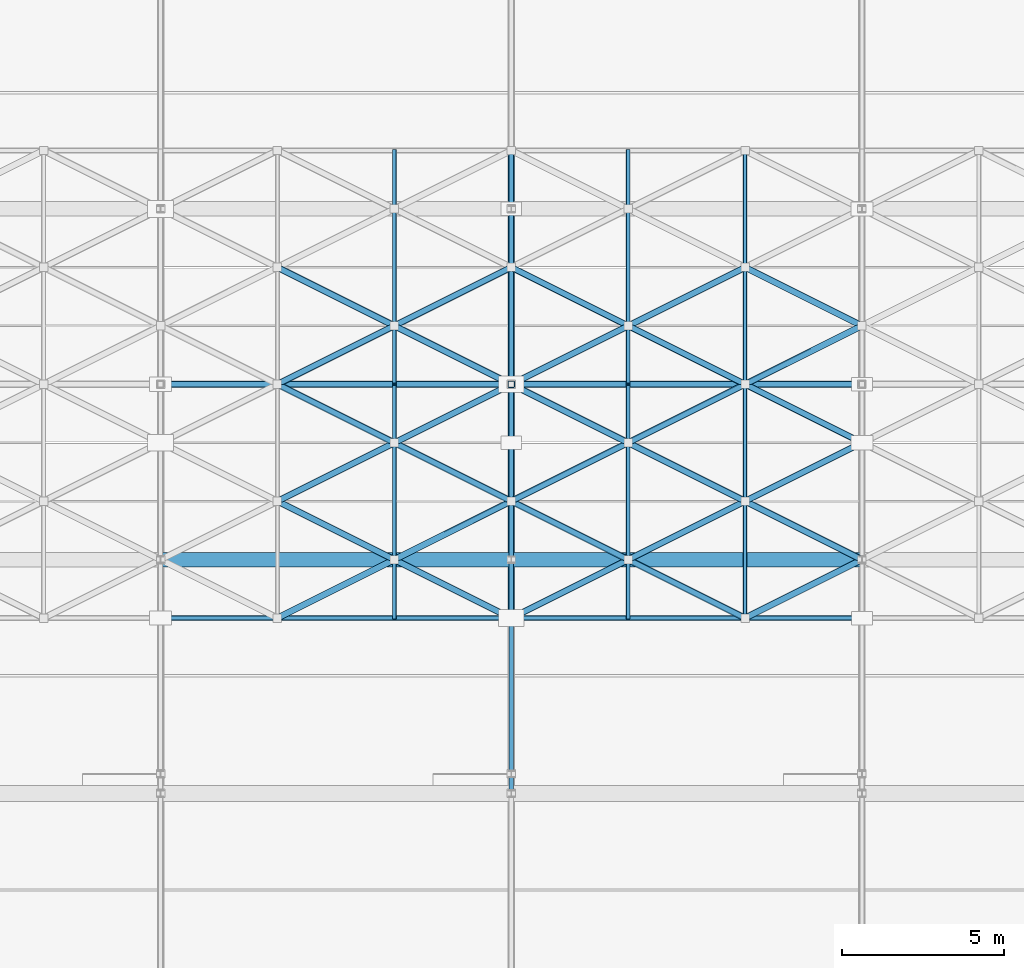
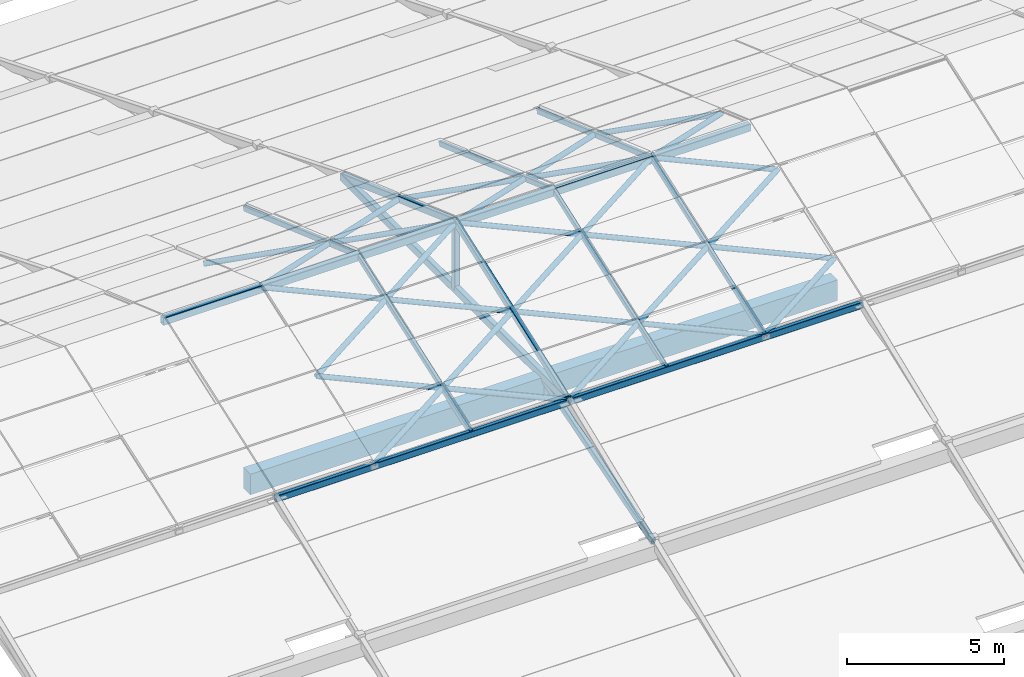
# One storey, part 41 of 112: 45 members, 2 beams.
"""IFC4 building model written with IfcOpenShell, lengths in metres."""

from ifc_helpers import new_model, si_unit, direction, frame, origin, origin_2d, place, context, subcontext, project, spatial, rectangle, hollow_rectangle, hollow_circle, extrude, material, material_profile, profile_set, type_object, element, save


model = new_model("IFC4")

# Units and contexts
model_context = context("Model", 3, precision=1e-05, world=origin(), true_north=direction((0.0, 1.0)))
body_context = subcontext(model_context, "Body", "Model", "MODEL_VIEW")
ifc_project = project(units=[si_unit("LENGTHUNIT", "METRE"), si_unit("AREAUNIT", "SQUARE_METRE"), si_unit("VOLUMEUNIT", "CUBIC_METRE"), si_unit("PLANEANGLEUNIT", "RADIAN"), si_unit("MASSUNIT", "GRAM", prefix="KILO")], contexts=[model_context])

# Site, building, storey
site_placement = place(None, origin())
site = spatial("IfcSite", under=ifc_project, at=site_placement, CompositionType="ELEMENT")
building_placement = place(site_placement, origin())
building = spatial("IfcBuilding", under=site, at=building_placement, Name="Zwinboog Wholesale Market", CompositionType="ELEMENT")
storey_placement = place(building_placement, frame((0.0, 0.0, 19.080078125)))
storey = spatial("IfcBuildingStorey", under=building, at=storey_placement, Name="Roof", CompositionType="ELEMENT", Elevation=19.080078125)

# Beams
ifc_material_1 = material(Name="Precast concrete C45/55", Category="concrete")
ifc_material_profile_1 = material_profile(ifc_material_1, rectangle(XDim=0.449951171875, YDim=0.800048828125, at=origin_2d()), Name="PC 450x800")
ifc_profile_set_1 = profile_set([ifc_material_profile_1], Name="Precast concrete C45/55")
beam_type = type_object("IfcBeamType", Name="BT-07", PredefinedType="BEAM", material=ifc_profile_set_1)
beam_1_placement = place(storey_placement, frame((75.60009765625, 70.199951171875, 0.16796875), z_axis=(1.0, 0.0, 0.0), x_axis=(0.0, 1.0, 0.0)))
element("IfcBeam", 1, at=beam_1_placement, inside=storey, type_object=beam_type, Name="EB-02 (BMG-Roof-0756-0702-1070)", PredefinedType="BEAM", context=body_context, shape_type="SweptSolid", body=[
    extrude(rectangle(XDim=0.449951171875, YDim=0.800048828125, at=origin_2d()), origin(), (0.0, 0.0, 1.0), 10.7998046875),
])
beam_2_placement = place(storey_placement, frame((86.39990234375, 70.199951171875, 0.16796875), z_axis=(1.0, 0.0, 0.0), x_axis=(0.0, 1.0, 0.0)))
element("IfcBeam", 2, at=beam_2_placement, inside=storey, type_object=beam_type, Name="EB-02 (BMG-Roof-0864-0702-1079)", PredefinedType="BEAM", context=body_context, shape_type="SweptSolid", body=[
    extrude(rectangle(XDim=0.449951171875, YDim=0.800048828125, at=origin_2d()), origin(), (0.0, 0.0, 1.0), 10.800048828125),
])

# Members
ifc_material_2 = material(Name="Steel S355", Category="steel")
ifc_material_profile_2 = material_profile(ifc_material_2, hollow_rectangle(XDim=0.199951171875, YDim=0.300048828125, WallThickness=0.012451171875, InnerFilletRadius=0.012451171875, OuterFilletRadius=0.02490234375, at=origin_2d()), Name="RHS 300x200x12.5")
ifc_profile_set_2 = profile_set([ifc_material_profile_2], Name="Steel S355")
member_type_1 = type_object("IfcMemberType", Name="MT-01", PredefinedType="CHORD", material=ifc_profile_set_2)
member_1_placement = place(storey_placement, frame((86.39990234375, 68.39990234375, 0.619873046875), z_axis=(0.0, 1.0, 0.0), x_axis=(-1.0, 0.0, 0.0)))
element("IfcMember", 3, at=member_1_placement, inside=storey, type_object=member_type_1, Name="DC-01 (MEM-Roof-0087)", PredefinedType="CHORD", context=body_context, shape_type="SweptSolid", body=[
    extrude(hollow_rectangle(XDim=0.199951171875, YDim=0.300048828125, WallThickness=0.012451171875, InnerFilletRadius=0.012451171875, OuterFilletRadius=0.02490234375, at=origin_2d()), origin(), (0.0, 0.0, 1.0), 14.400146484375),
])
member_2_placement = place(storey_placement, frame((75.60009765625, 75.60009765625, 3.139892578125), z_axis=(1.0, 0.0, 0.0), x_axis=(0.0, 1.0, 0.0)))
element("IfcMember", 4, at=member_2_placement, inside=storey, type_object=member_type_1, Name="DC-01 (MEM-Roof-0334)", PredefinedType="CHORD", context=body_context, shape_type="SweptSolid", body=[
    extrude(hollow_rectangle(XDim=0.199951171875, YDim=0.300048828125, WallThickness=0.012451171875, InnerFilletRadius=0.012451171875, OuterFilletRadius=0.02490234375, at=origin_2d()), origin(), (0.0, 0.0, 1.0), 10.7998046875),
])
member_3_placement = place(storey_placement, frame((86.39990234375, 75.60009765625, 3.139892578125), z_axis=(1.0, 0.0, 0.0), x_axis=(0.0, 1.0, 0.0)))
element("IfcMember", 5, at=member_3_placement, inside=storey, type_object=member_type_1, Name="DC-01 (MEM-Roof-0337)", PredefinedType="CHORD", context=body_context, shape_type="SweptSolid", body=[
    extrude(hollow_rectangle(XDim=0.199951171875, YDim=0.300048828125, WallThickness=0.012451171875, InnerFilletRadius=0.012451171875, OuterFilletRadius=0.02490234375, at=origin_2d()), origin(), (0.0, 0.0, 1.0), 10.800048828125),
])
ifc_material_profile_3 = material_profile(ifc_material_2, hollow_rectangle(XDim=0.14990234375, YDim=0.25, WallThickness=0.010009765625, InnerFilletRadius=0.010009765625, OuterFilletRadius=0.02001953125, at=origin_2d()), Name="RHS 250x150x10")
ifc_profile_set_3 = profile_set([ifc_material_profile_3], Name="Steel S355")
member_type_2 = type_object("IfcMemberType", Name="MT-02", PredefinedType="CHORD", material=ifc_profile_set_3)
member_4_placement = place(storey_placement, frame((86.39990234375, 63.0, -1.60009765625), z_axis=(0.0, 0.958194819429, 0.286116563694), x_axis=(-1.0, 0.0, 0.0)))
element("IfcMember", 6, at=member_4_placement, inside=storey, type_object=member_type_2, Name="DC-02 (MEM-Roof-0073)", PredefinedType="CHORD", context=body_context, shape_type="SweptSolid", body=[
    extrude(hollow_rectangle(XDim=0.14990234375, YDim=0.25, WallThickness=0.010009765625, InnerFilletRadius=0.010009765625, OuterFilletRadius=0.02001953125, at=origin_2d()), origin(), (0.0, 0.0, 1.0), 7.51416015625),
])
member_5_placement = place(storey_placement, frame((86.39990234375, 68.39990234375, 0.619873046875), z_axis=(0.0, 0.940552767691, 0.339647598532), x_axis=(-1.0, 0.0, 0.0)))
element("IfcMember", 7, at=member_5_placement, inside=storey, type_object=member_type_2, Name="DC-02 (MEM-Roof-0089)", PredefinedType="CHORD", context=body_context, shape_type="SweptSolid", body=[
    extrude(hollow_rectangle(XDim=0.14990234375, YDim=0.25, WallThickness=0.010009765625, InnerFilletRadius=0.010009765625, OuterFilletRadius=0.02001953125, at=origin_2d()), origin(), (0.0, 0.0, 1.0), 7.6552734375),
])
member_6_placement = place(storey_placement, frame((86.39990234375, 82.800048828125, 0.619873046875), z_axis=(0.0, -0.940549088473, 0.339657786858), x_axis=(1.0, 0.0, 0.0)))
element("IfcMember", 8, at=member_6_placement, inside=storey, type_object=member_type_2, Name="DC-02 (MEM-Roof-0090)", PredefinedType="CHORD", context=body_context, shape_type="SweptSolid", body=[
    extrude(hollow_rectangle(XDim=0.14990234375, YDim=0.25, WallThickness=0.010009765625, InnerFilletRadius=0.010009765625, OuterFilletRadius=0.02001953125, at=origin_2d()), origin(), (0.0, 0.0, 1.0), 7.655029296875),
])
member_7_placement = place(storey_placement, frame((75.60009765625, 68.39990234375, 0.58984375), z_axis=(1.0, 0.0, 0.0), x_axis=(0.0, 1.0, 0.0)))
element("IfcMember", 9, at=member_7_placement, inside=storey, type_object=member_type_2, Name="DC-02 (MEM-Roof-0335)", PredefinedType="CHORD", context=body_context, shape_type="SweptSolid", body=[
    extrude(hollow_rectangle(XDim=0.14990234375, YDim=0.25, WallThickness=0.010009765625, InnerFilletRadius=0.010009765625, OuterFilletRadius=0.02001953125, at=origin_2d()), origin(), (0.0, 0.0, 1.0), 10.7998046875),
])
member_8_placement = place(storey_placement, frame((86.39990234375, 68.39990234375, 0.58984375), z_axis=(1.0, 0.0, 0.0), x_axis=(0.0, 1.0, 0.0)))
element("IfcMember", 10, at=member_8_placement, inside=storey, type_object=member_type_2, Name="DC-02 (MEM-Roof-0338)", PredefinedType="CHORD", context=body_context, shape_type="SweptSolid", body=[
    extrude(hollow_rectangle(XDim=0.14990234375, YDim=0.25, WallThickness=0.010009765625, InnerFilletRadius=0.010009765625, OuterFilletRadius=0.02001953125, at=origin_2d()), origin(), (0.0, 0.0, 1.0), 10.800048828125),
])
ifc_material_profile_4 = material_profile(ifc_material_2, hollow_rectangle(XDim=0.1201171875, YDim=0.199951171875, WallThickness=0.008056640625, InnerFilletRadius=0.008056640625, OuterFilletRadius=0.01611328125, at=origin_2d()), Name="RHS 200x120x8")
ifc_profile_set_4 = profile_set([ifc_material_profile_4], Name="Steel S355")
member_type_3 = type_object("IfcMemberType", Name="MT-03", PredefinedType="CHORD", material=ifc_profile_set_4)
member_9_placement = place(storey_placement, frame((82.800048828125, 68.39990234375, 0.6298828125), z_axis=(0.0, 0.942628063348, 0.333844775589), x_axis=(-1.0, 0.0, 0.0)))
element("IfcMember", 11, at=member_9_placement, inside=storey, type_object=member_type_3, Name="DC-03 (MEM-Roof-0411)", PredefinedType="CHORD", context=body_context, shape_type="SweptSolid", body=[
    extrude(hollow_rectangle(XDim=0.1201171875, YDim=0.199951171875, WallThickness=0.008056640625, InnerFilletRadius=0.008056640625, OuterFilletRadius=0.01611328125, at=origin_2d()), origin(), (0.0, 0.0, 1.0), 7.638427734375),
])
member_10_placement = place(storey_placement, frame((82.800048828125, 82.800048828125, 0.6298828125), z_axis=(0.0, -0.94262450093, 0.333854834092), x_axis=(1.0, 0.0, 0.0)))
element("IfcMember", 12, at=member_10_placement, inside=storey, type_object=member_type_3, Name="DC-03 (MEM-Roof-0412)", PredefinedType="CHORD", context=body_context, shape_type="SweptSolid", body=[
    extrude(hollow_rectangle(XDim=0.1201171875, YDim=0.199951171875, WallThickness=0.008056640625, InnerFilletRadius=0.008056640625, OuterFilletRadius=0.01611328125, at=origin_2d()), origin(), (0.0, 0.0, 1.0), 7.63818359375),
])
member_11_placement = place(storey_placement, frame((90.0, 68.39990234375, 0.6298828125), z_axis=(0.0, 0.942628063348, 0.333844775589), x_axis=(-1.0, 0.0, 0.0)))
element("IfcMember", 13, at=member_11_placement, inside=storey, type_object=member_type_3, Name="DC-03 (MEM-Roof-0431)", PredefinedType="CHORD", context=body_context, shape_type="SweptSolid", body=[
    extrude(hollow_rectangle(XDim=0.1201171875, YDim=0.199951171875, WallThickness=0.008056640625, InnerFilletRadius=0.008056640625, OuterFilletRadius=0.01611328125, at=origin_2d()), origin(), (0.0, 0.0, 1.0), 7.638427734375),
])
member_12_placement = place(storey_placement, frame((90.0, 82.800048828125, 0.6298828125), z_axis=(0.0, -0.94262450093, 0.333854834092), x_axis=(1.0, 0.0, 0.0)))
element("IfcMember", 14, at=member_12_placement, inside=storey, type_object=member_type_3, Name="DC-03 (MEM-Roof-0432)", PredefinedType="CHORD", context=body_context, shape_type="SweptSolid", body=[
    extrude(hollow_rectangle(XDim=0.1201171875, YDim=0.199951171875, WallThickness=0.008056640625, InnerFilletRadius=0.008056640625, OuterFilletRadius=0.01611328125, at=origin_2d()), origin(), (0.0, 0.0, 1.0), 7.63818359375),
])
member_13_placement = place(storey_placement, frame((93.60009765625, 68.39990234375, 0.6298828125), z_axis=(0.0, 0.942628063348, 0.333844775589), x_axis=(-1.0, 0.0, 0.0)))
element("IfcMember", 15, at=member_13_placement, inside=storey, type_object=member_type_3, Name="DC-03 (MEM-Roof-0441)", PredefinedType="CHORD", context=body_context, shape_type="SweptSolid", body=[
    extrude(hollow_rectangle(XDim=0.1201171875, YDim=0.199951171875, WallThickness=0.008056640625, InnerFilletRadius=0.008056640625, OuterFilletRadius=0.01611328125, at=origin_2d()), origin(), (0.0, 0.0, 1.0), 7.638427734375),
])
member_14_placement = place(storey_placement, frame((93.60009765625, 82.800048828125, 0.6298828125), z_axis=(0.0, -0.94262450093, 0.333854834092), x_axis=(1.0, 0.0, 0.0)))
element("IfcMember", 16, at=member_14_placement, inside=storey, type_object=member_type_3, Name="DC-03 (MEM-Roof-0442)", PredefinedType="CHORD", context=body_context, shape_type="SweptSolid", body=[
    extrude(hollow_rectangle(XDim=0.1201171875, YDim=0.199951171875, WallThickness=0.008056640625, InnerFilletRadius=0.008056640625, OuterFilletRadius=0.01611328125, at=origin_2d()), origin(), (0.0, 0.0, 1.0), 7.63818359375),
])
ifc_material_profile_5 = material_profile(ifc_material_2, hollow_rectangle(XDim=0.199951171875, YDim=0.199951171875, WallThickness=0.010009765625, InnerFilletRadius=0.010009765625, OuterFilletRadius=0.02001953125, at=origin_2d()), Name="SHS 200x200x10")
ifc_profile_set_5 = profile_set([ifc_material_profile_5], Name="Steel S355")
member_type_4 = type_object("IfcMemberType", Name="MT-04", PredefinedType="BRACE", material=ifc_profile_set_5)
member_15_placement = place(storey_placement, frame((86.39990234375, 75.60009765625, 0.619873046875), z_axis=(0.0, 0.0, 1.0), x_axis=(1.0, 0.0, 0.0)))
element("IfcMember", 17, at=member_15_placement, inside=storey, type_object=member_type_4, Name="DB-01 (MEM-Roof-0088)", PredefinedType="BRACE", context=body_context, shape_type="SweptSolid", body=[
    extrude(hollow_rectangle(XDim=0.199951171875, YDim=0.199951171875, WallThickness=0.010009765625, InnerFilletRadius=0.010009765625, OuterFilletRadius=0.02001953125, at=origin_2d()), origin(), (0.0, 0.0, 1.0), 2.60009765625),
])
ifc_material_profile_6 = material_profile(ifc_material_2, hollow_circle(Radius=0.096923828125, WallThickness=0.010009765625, at=origin_2d()), Name="CHS 193.7x10")
ifc_profile_set_6 = profile_set([ifc_material_profile_6], Name="Steel S355")
member_type_5 = type_object("IfcMemberType", Name="MT-06", PredefinedType="BRACE", material=ifc_profile_set_6)
for number, where, z_axis, x_axis, name in (
    (18, (79.199951171875, 68.39990234375, 0.6298828125), (0.883417044144, 0.441708522072, 0.156422209566), (-0.4472135955, 0.894427191, 0.0), "DB-03 (MEM-Roof-0403)"),
    (19, (79.199951171875, 72.0, 1.905029296875), (0.883408764097, -0.441704382048, -0.156480651826), (0.4472135955, 0.894427191, 0.0), "DB-03 (MEM-Roof-0404)"),
    (20, (79.199951171875, 72.0, 1.905029296875), (0.883417044144, 0.441708522072, 0.156422209566), (-0.4472135955, 0.894427191, 0.0), "DB-03 (MEM-Roof-0405)"),
    (21, (79.199951171875, 75.60009765625, 3.179931640625), (0.883417044144, -0.441708522072, -0.156422209566), (0.4472135955, 0.894427191, 0.0), "DB-03 (MEM-Roof-0406)"),
    (22, (79.199951171875, 75.60009765625, 3.179931640625), (0.883440420719, 0.441660299847, -0.156426348738), (-0.447165069061, 0.894451452574, 0.0), "DB-03 (MEM-Roof-0407)"),
    (23, (79.199951171875, 79.199951171875, 1.905029296875), (0.883417044144, -0.441708522072, 0.156422209566), (0.4472135955, 0.894427191, 0.0), "DB-03 (MEM-Roof-0408)"),
):
    element("IfcMember", number, at=place(storey_placement, frame(where, z_axis=z_axis, x_axis=x_axis)), inside=storey, type_object=member_type_5, Name=name, PredefinedType="BRACE", context=body_context, shape_type="SweptSolid", body=[
        extrude(hollow_circle(Radius=0.096923828125, WallThickness=0.010009765625, at=origin_2d()), origin(), (0.0, 0.0, 1.0), 4.0751953125),
    ])
for number, where, z_axis, x_axis, name in (
    (24, (82.800048828125, 70.199951171875, 1.267333984375), (0.883403888637, -0.441731900368, -0.15643048852), (0.447237858884, 0.894415058897, 0.0), "DB-03 (MEM-Roof-0413)"),
    (25, (82.800048828125, 70.199951171875, 1.267333984375), (0.883395607837, 0.441727759687, 0.156488933718), (-0.447237858884, 0.894415058897, 0.0), "DB-03 (MEM-Roof-0414)"),
    (26, (82.800048828125, 73.800048828125, 2.54248046875), (0.883403888637, -0.441731900368, -0.15643048852), (0.447237858884, 0.894415058897, 0.0), "DB-03 (MEM-Roof-0415)"),
    (27, (82.800048828125, 73.800048828125, 2.54248046875), (0.883403888637, 0.441731900368, 0.15643048852), (-0.447237858884, 0.894415058897, 0.0), "DB-03 (MEM-Roof-0416)"),
    (28, (82.800048828125, 77.39990234375, 2.54248046875), (0.883427267339, -0.441683676827, 0.15643462835), (0.447189331129, 0.894439322774, 0.0), "DB-03 (MEM-Roof-0417)"),
    (29, (82.800048828125, 77.39990234375, 2.54248046875), (0.883403888637, 0.441731900368, -0.15643048852), (-0.447237858884, 0.894415058897, 0.0), "DB-03 (MEM-Roof-0418)"),
):
    element("IfcMember", number, at=place(storey_placement, frame(where, z_axis=z_axis, x_axis=x_axis)), inside=storey, type_object=member_type_5, Name=name, PredefinedType="BRACE", context=body_context, shape_type="SweptSolid", body=[
        extrude(hollow_circle(Radius=0.096923828125, WallThickness=0.010009765625, at=origin_2d()), origin(), (0.0, 0.0, 1.0), 4.074951171875),
    ])
for number, where, z_axis, x_axis, name in (
    (30, (86.39990234375, 68.39990234375, 0.6298828125), (0.883417044144, 0.441708522072, 0.156422209566), (-0.4472135955, 0.894427191, 0.0), "DB-03 (MEM-Roof-0423)"),
    (31, (86.39990234375, 72.0, 1.905029296875), (0.883408764097, -0.441704382048, -0.156480651826), (0.4472135955, 0.894427191, 0.0), "DB-03 (MEM-Roof-0424)"),
    (32, (86.39990234375, 72.0, 1.905029296875), (0.883417044144, 0.441708522072, 0.156422209566), (-0.4472135955, 0.894427191, 0.0), "DB-03 (MEM-Roof-0425)"),
    (33, (86.39990234375, 75.60009765625, 3.179931640625), (0.883417044144, -0.441708522072, -0.156422209566), (0.4472135955, 0.894427191, 0.0), "DB-03 (MEM-Roof-0426)"),
    (34, (86.39990234375, 75.60009765625, 3.179931640625), (0.883440420719, 0.441660299847, -0.156426348738), (-0.447165069061, 0.894451452574, 0.0), "DB-03 (MEM-Roof-0427)"),
    (35, (86.39990234375, 79.199951171875, 1.905029296875), (0.883417044144, -0.441708522072, 0.156422209566), (0.4472135955, 0.894427191, 0.0), "DB-03 (MEM-Roof-0428)"),
    (36, (90.0, 70.199951171875, 1.267333984375), (0.883417044144, -0.441708522072, -0.156422209566), (0.4472135955, 0.894427191, 0.0), "DB-03 (MEM-Roof-0433)"),
    (37, (90.0, 70.199951171875, 1.267333984375), (0.883408764097, 0.441704382048, 0.156480651826), (-0.4472135955, 0.894427191, 0.0), "DB-03 (MEM-Roof-0434)"),
    (38, (90.0, 73.800048828125, 2.54248046875), (0.883417044144, -0.441708522072, -0.156422209566), (0.4472135955, 0.894427191, 0.0), "DB-03 (MEM-Roof-0435)"),
    (39, (90.0, 73.800048828125, 2.54248046875), (0.883417044144, 0.441708522072, 0.156422209566), (-0.4472135955, 0.894427191, 0.0), "DB-03 (MEM-Roof-0436)"),
    (40, (90.0, 77.39990234375, 2.54248046875), (0.883440420719, -0.441660299847, 0.156426348738), (0.447165069061, 0.894451452574, 0.0), "DB-03 (MEM-Roof-0437)"),
    (41, (90.0, 77.39990234375, 2.54248046875), (0.883417044144, 0.441708522072, -0.156422209566), (-0.4472135955, 0.894427191, 0.0), "DB-03 (MEM-Roof-0438)"),
):
    element("IfcMember", number, at=place(storey_placement, frame(where, z_axis=z_axis, x_axis=x_axis)), inside=storey, type_object=member_type_5, Name=name, PredefinedType="BRACE", context=body_context, shape_type="SweptSolid", body=[
        extrude(hollow_circle(Radius=0.096923828125, WallThickness=0.010009765625, at=origin_2d()), origin(), (0.0, 0.0, 1.0), 4.0751953125),
    ])
for number, where, z_axis, x_axis, name in (
    (42, (93.60009765625, 68.39990234375, 0.6298828125), (0.883403888637, 0.441731900368, 0.15643048852), (-0.447237858884, 0.894415058897, 0.0), "DB-03 (MEM-Roof-0443)"),
    (43, (93.60009765625, 72.0, 1.905029296875), (0.883395607837, -0.441727759687, -0.156488933718), (0.447237858884, 0.894415058897, 0.0), "DB-03 (MEM-Roof-0444)"),
    (44, (93.60009765625, 72.0, 1.905029296875), (0.883403888637, 0.441731900368, 0.15643048852), (-0.447237858884, 0.894415058897, 0.0), "DB-03 (MEM-Roof-0445)"),
    (45, (93.60009765625, 75.60009765625, 3.179931640625), (0.883403888637, -0.441731900368, -0.15643048852), (0.447237858884, 0.894415058897, 0.0), "DB-03 (MEM-Roof-0446)"),
    (46, (93.60009765625, 75.60009765625, 3.179931640625), (0.883427267339, 0.441683676827, -0.15643462835), (-0.447189331129, 0.894439322774, 0.0), "DB-03 (MEM-Roof-0447)"),
    (47, (93.60009765625, 79.199951171875, 1.905029296875), (0.883403888637, -0.441731900368, 0.15643048852), (0.447237858884, 0.894415058897, 0.0), "DB-03 (MEM-Roof-0448)"),
):
    element("IfcMember", number, at=place(storey_placement, frame(where, z_axis=z_axis, x_axis=x_axis)), inside=storey, type_object=member_type_5, Name=name, PredefinedType="BRACE", context=body_context, shape_type="SweptSolid", body=[
        extrude(hollow_circle(Radius=0.096923828125, WallThickness=0.010009765625, at=origin_2d()), origin(), (0.0, 0.0, 1.0), 4.074951171875),
    ])

save(model, "model.ifc")
